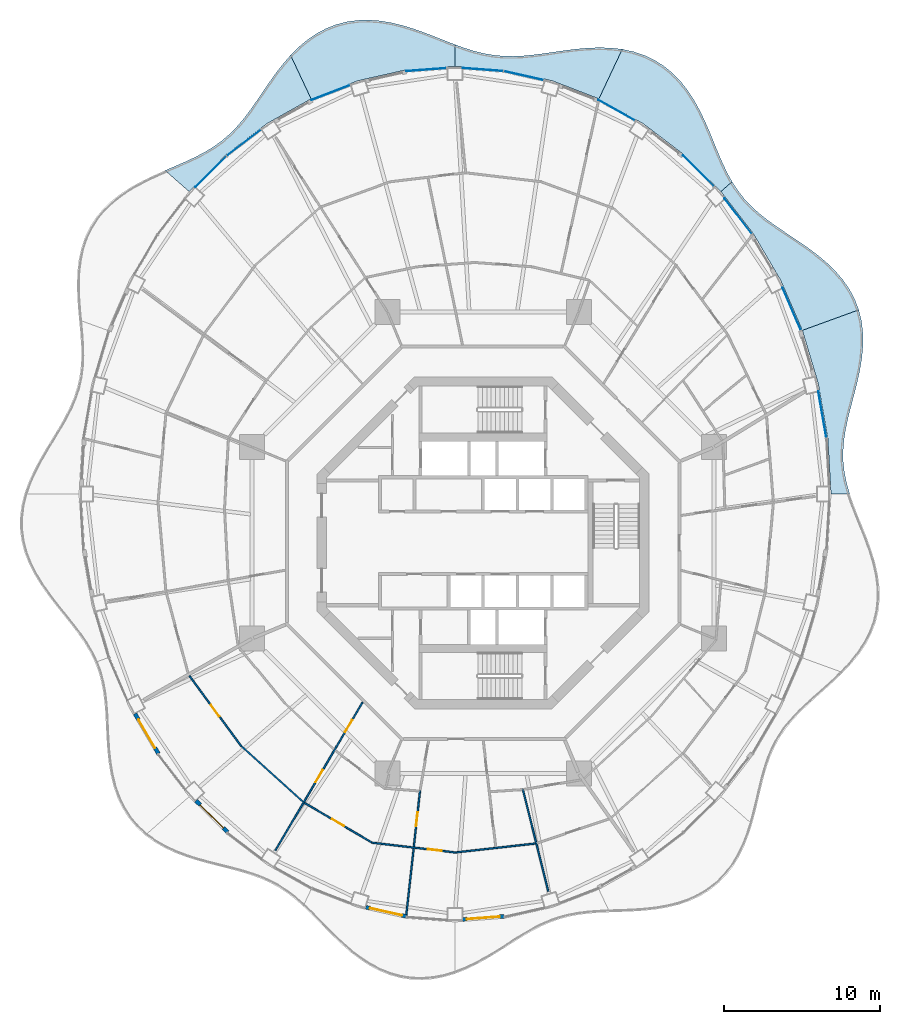
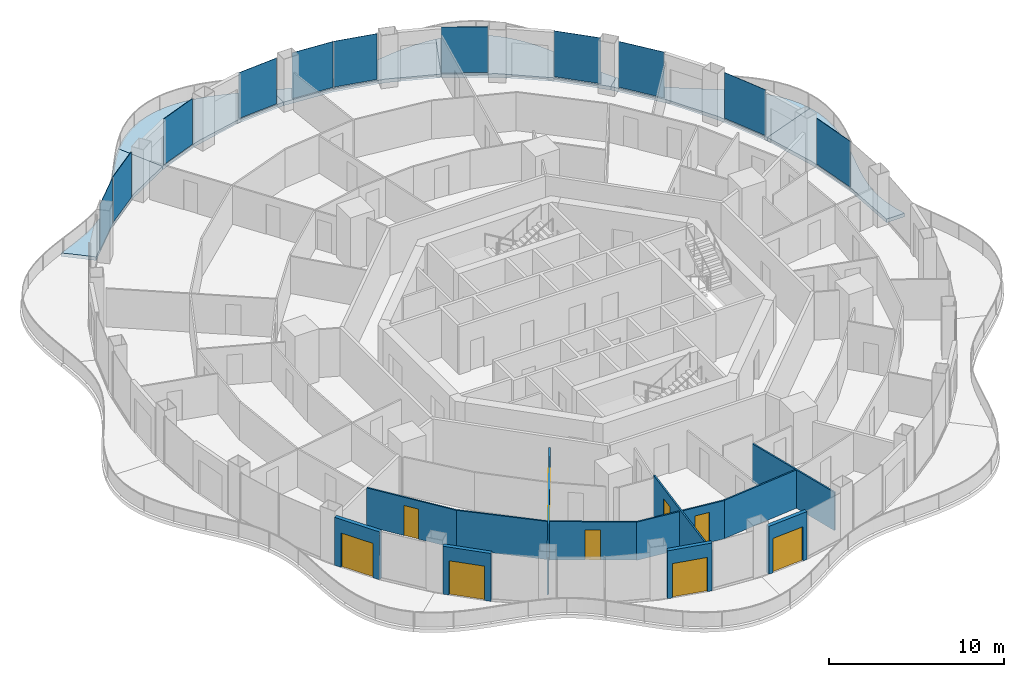
# One storey, part 9 of 18: 12 walls, 11 plates, 10 doors, 6 slabs, 10 openings, 11 elements without a shape of their own.
"""IFC4 building model written with IfcOpenShell, lengths in metres."""

import ifcopenshell
import ifcopenshell.guid

model = None  # the IFC model being written
_history = None  # IfcOwnerHistory: only IFC2X3 demands one
_inside = {}  # id of a spatial element -> (the spatial element, [elements in it])
_under = {}  # id of a project, library or spatial element -> (it, [spatial elements below it])
_declared = {}  # id of a project -> (the project, [libraries it declares])
_typed = {}  # id of a type object -> (the type object, [elements of that type])
_made_of = {}  # id of a material, layer set ... -> (it, [elements and type objects made of it])


def new_model(schema):
    """Start an empty IFC model of exactly this schema.

    Asked for "IFC4X3", IfcOpenShell would pick the latest addendum, in which some entities
    have other attributes; the version numbers below select the first issue.
    IFC2X3 requires an IfcOwnerHistory on every rooted entity: one is made here for all.
    """
    global model, _history
    if schema == "IFC4X3":
        model = ifcopenshell.file(schema_version=(4, 3, 0, 0))
    else:
        model = ifcopenshell.file(schema=schema)
    _inside.clear()
    _under.clear()
    _declared.clear()
    _typed.clear()
    _made_of.clear()
    _history = None
    if model.schema == "IFC2X3":
        org = make("IfcOrganization", Name="unknown")
        user = make(
            "IfcPersonAndOrganization",
            ThePerson=make("IfcPerson", FamilyName="unknown"),
            TheOrganization=org,
        )
        app = make(
            "IfcApplication",
            ApplicationDeveloper=org,
            Version="unknown",
            ApplicationFullName="unknown",
            ApplicationIdentifier="unknown",
        )
        _history = make(
            "IfcOwnerHistory",
            OwningUser=user,
            OwningApplication=app,
            ChangeAction="ADDED",
            CreationDate=0,
        )
    return model


def make(cls, **values):
    """One entity of the class cls with the attributes given. An attribute that is None is left unset."""
    return model.create_entity(
        cls, **{name: value for name, value in values.items() if value is not None}
    )


def rooted(cls, **values):
    """An entity with a GlobalId (a new one), such as an element, a storey or a relation."""
    return make(cls, GlobalId=ifcopenshell.guid.new(), OwnerHistory=_history, **values)


def si_unit(unit_type, name, prefix=None):
    """IfcSIUnit, for example si_unit("LENGTHUNIT", "METRE", prefix="MILLI")."""
    return make("IfcSIUnit", UnitType=unit_type, Prefix=prefix, Name=name)


def assignment(units):
    """IfcUnitAssignment: the units of a project."""
    return None if units is None else make("IfcUnitAssignment", Units=units)


def point(xyz):
    """IfcCartesianPoint."""
    return None if xyz is None else make("IfcCartesianPoint", Coordinates=xyz)


def direction(xyz):
    """IfcDirection."""
    return None if xyz is None else make("IfcDirection", DirectionRatios=xyz)


def frame(location, z_axis=None, x_axis=None):
    """IfcAxis2Placement3D, a coordinate frame: its origin and axes. An axis left out is left unset."""
    return make(
        "IfcAxis2Placement3D",
        Location=point(location),
        Axis=direction(z_axis),
        RefDirection=direction(x_axis),
    )


def frame_2d(location, x_axis=None):
    """IfcAxis2Placement2D, a coordinate frame in the plane: its origin and x axis."""
    return make(
        "IfcAxis2Placement2D", Location=point(location), RefDirection=direction(x_axis)
    )


def origin():
    """The frame at (0, 0, 0) with its axes left unset."""
    return frame((0.0, 0.0, 0.0))


def origin_2d():
    """The frame at (0, 0) in the plane with its x axis left unset."""
    return frame_2d((0.0, 0.0))


def place(relative_to, where):
    """IfcLocalPlacement: puts the frame where relative to a parent placement (None: the world)."""
    return make(
        "IfcLocalPlacement", PlacementRelTo=relative_to, RelativePlacement=where
    )


def context(
    kind, dimensions, precision=None, world=None, true_north=None, identifier=None
):
    """IfcGeometricRepresentationContext, for example the 3D "Model" context."""
    return make(
        "IfcGeometricRepresentationContext",
        ContextIdentifier=identifier,
        ContextType=kind,
        CoordinateSpaceDimension=dimensions,
        Precision=precision,
        WorldCoordinateSystem=world,
        TrueNorth=true_north,
    )


def subcontext(parent, identifier, kind, view, scale=None):
    """IfcGeometricRepresentationSubContext, for example "Body" below "Model"."""
    return make(
        "IfcGeometricRepresentationSubContext",
        ContextIdentifier=identifier,
        ContextType=kind,
        ParentContext=parent,
        TargetScale=scale,
        TargetView=view,
    )


def project(units=None, contexts=None):
    """IfcProject with its units and contexts."""
    return rooted(
        "IfcProject",
        Name="project",
        RepresentationContexts=contexts,
        UnitsInContext=assignment(units),
    )


def spatial(cls, under=None, at=None, **own):
    """A site, building, storey or space (cls), placed at a placement, below another one or the project."""
    s = rooted(cls, ObjectPlacement=at, **own)
    if under is not None:
        _under.setdefault(under.id(), (under, []))[1].append(s)
    return s


def polyline(points):
    """IfcPolyline through the points."""
    return make("IfcPolyline", Points=[point(p) for p in points])


def profile(cls, at=None, kind="AREA", **sizes):
    """A parametric profile (cls). Its sizes go by their IFC names, for example OverallWidth=200.0."""
    return make(cls, ProfileType=kind, Position=at, **sizes)


def rectangle(**sizes):
    """IfcRectangleProfileDef."""
    return profile("IfcRectangleProfileDef", **sizes)


def outline(outer, holes=None, kind="AREA"):
    """IfcArbitraryClosedProfileDef: a profile drawn as a closed curve; with holes, ...WithVoids."""
    if holes is None:
        return make("IfcArbitraryClosedProfileDef", ProfileType=kind, OuterCurve=outer)
    return make(
        "IfcArbitraryProfileDefWithVoids",
        ProfileType=kind,
        OuterCurve=outer,
        InnerCurves=holes,
    )


def extrude(swept, where, along, depth):
    """IfcExtrudedAreaSolid: the profile swept, set in the frame where, extruded along a direction by depth."""
    return make(
        "IfcExtrudedAreaSolid",
        SweptArea=swept,
        Position=where,
        ExtrudedDirection=direction(along),
        Depth=depth,
    )


def shape(context_of_items, identifier, shape_type, items):
    """IfcShapeRepresentation: the items that make up one representation, for example the "Body"."""
    return make(
        "IfcShapeRepresentation",
        ContextOfItems=context_of_items,
        RepresentationIdentifier=identifier,
        RepresentationType=shape_type,
        Items=items,
    )


def material(Name=None, Category=None):
    """IfcMaterial."""
    return make("IfcMaterial", Name=Name, Category=Category)


def layer(
    of_material, thickness, ventilated=None, Name=None, Category=None, Priority=None
):
    """IfcMaterialLayer: one layer of a wall or slab, of a material (None: an air gap)."""
    return make(
        "IfcMaterialLayer",
        Material=of_material,
        LayerThickness=thickness,
        IsVentilated=ventilated,
        Name=Name,
        Category=Category,
        Priority=Priority,
    )


def layer_set(layers, Name=None):
    """IfcMaterialLayerSet."""
    return make("IfcMaterialLayerSet", MaterialLayers=layers, LayerSetName=Name)


def made_of(thing, what):
    """Note that an element or type object is made of a material, layer set ...; save() writes the relation."""
    if what is not None:
        _made_of.setdefault(what.id(), (what, []))[1].append(thing)
    return thing


def type_object(cls, material=None, **own):
    """A type object (cls), such as IfcWallType, which elements share."""
    return made_of(rooted(cls, **own), material)


def element(
    cls,
    number,
    at=None,
    inside=None,
    cuts=None,
    type_object=None,
    material=None,
    context=None,
    identifier="Body",
    shape_type=None,
    held_by="IfcProductDefinitionShape",
    body=None,
    shapes=None,
    **own,
):
    """One element of the class cls, such as IfcWall. Its Tag is "e" and its number.

    at: its placement. inside: the storey or other place that contains it. cuts: it is an
    opening in that element (IfcRelVoidsElement). A single representation is given by context,
    identifier, shape_type and body (its items); several are given by shapes. held_by: the class
    of the entity that holds the representations. save() writes the other relations.
    """
    e = rooted(cls, Tag="e%d" % number, ObjectPlacement=at, **own)
    if body is not None:
        shapes = [shape(context, identifier, shape_type, body)]
    if shapes is not None:
        e.Representation = make(held_by, Representations=shapes)
    if inside is not None:
        _inside.setdefault(inside.id(), (inside, []))[1].append(e)
    if cuts is not None:
        rooted(
            "IfcRelVoidsElement", RelatingBuildingElement=cuts, RelatedOpeningElement=e
        )
    if type_object is not None:
        _typed.setdefault(type_object.id(), (type_object, []))[1].append(e)
    return made_of(e, material)


def fill(opening, filler):
    """IfcRelFillsElement: the door or window that sits in an opening."""
    return rooted(
        "IfcRelFillsElement",
        RelatingOpeningElement=opening,
        RelatedBuildingElement=filler,
    )


def aggregate(whole, parts):
    """IfcRelAggregates: a whole, such as a stair, and the parts it consists of."""
    return rooted("IfcRelAggregates", RelatingObject=whole, RelatedObjects=parts)


def save(model, path):
    """Write the relations noted so far, then the file.

    IfcRelAggregates (storeys below a building ...), IfcRelContainedInSpatialStructure (elements
    in a storey), IfcRelDefinesByType, IfcRelAssociatesMaterial and IfcRelDeclares: one each for
    every whole, place, type object, material and project.
    """
    for whole, parts in _under.values():
        aggregate(whole, parts)
    for where, things in _inside.values():
        rooted(
            "IfcRelContainedInSpatialStructure",
            RelatedElements=things,
            RelatingStructure=where,
        )
    for kind, things in _typed.values():
        rooted("IfcRelDefinesByType", RelatedObjects=things, RelatingType=kind)
    for what, things in _made_of.values():
        rooted("IfcRelAssociatesMaterial", RelatedObjects=things, RelatingMaterial=what)
    for by, libraries in _declared.values():
        rooted("IfcRelDeclares", RelatingContext=by, RelatedDefinitions=libraries)
    model.write(path)


model = new_model("IFC4")

# Units and contexts
model_context = context("Model", 3, precision=1e-05, world=origin(), true_north=direction((0.0, 1.0)))
body_context = subcontext(model_context, "Body", "Model", "MODEL_VIEW")
ifc_project = project(units=[si_unit("LENGTHUNIT", "METRE"), si_unit("AREAUNIT", "SQUARE_METRE"), si_unit("VOLUMEUNIT", "CUBIC_METRE"), si_unit("PLANEANGLEUNIT", "RADIAN"), si_unit("MASSUNIT", "GRAM", prefix="KILO")], contexts=[model_context])

# Site, building, storey
site_placement = place(None, origin())
site = spatial("IfcSite", under=ifc_project, at=site_placement, CompositionType="ELEMENT")
building_placement = place(site_placement, origin())
building = spatial("IfcBuilding", under=site, at=building_placement, Name="Nagisa Residences", CompositionType="ELEMENT")
storey_placement = place(building_placement, frame((0.0, 0.0, 249.199951171875)))
storey = spatial("IfcBuildingStorey", under=building, at=storey_placement, Name="L63", CompositionType="ELEMENT", Elevation=249.199951171875)

# Slabs
ifc_material_1 = material(Name="Concrete C40/50", Category="concrete")
ifc_layer_1 = layer(ifc_material_1, 0.25)
ifc_layer_set_1 = layer_set([ifc_layer_1], Name="BALCONY SLAB 250")
slab_type = type_object("IfcSlabType", Name="BALCONY SLAB 250", PredefinedType="FLOOR", material=ifc_layer_set_1)
slab_1_placement = place(storey_placement, frame((0.0, 0.0, -0.25)))
element("IfcSlab", 1, at=slab_1_placement, inside=storey, type_object=slab_type, Name="slab:L63:bal00", PredefinedType="FLOOR", context=body_context, shape_type="SweptSolid", body=[
    extrude(outline(polyline([(23.470947265625, 3.11767578125), (23.271484375, 3.8076171875), (23.13037109375, 4.4921875), (23.0537109375, 5.17626953125), (23.043701171875, 5.864501953125), (23.097412109375, 6.56201171875), (23.207763671875, 7.272216796875), (23.36376953125, 7.998291015625), (23.550537109375, 8.741455078125), (23.7509765625, 9.5009765625), (23.94677734375, 10.275146484375), (24.1181640625, 11.059814453125), (24.247314453125, 11.849365234375), (24.317138671875, 12.63720703125), (24.313720703125, 13.41552734375), (24.226318359375, 14.177001953125), (24.048095703125, 14.91357421875), (20.437744140625, 13.599365234375), (21.449951171875, 10.206787109375), (22.06396484375, 6.69287109375), (22.27001953125, 3.11767578125), (23.470947265625, 3.11767578125)])), origin(), (0.0, 0.0, 1.0), 0.25),
])
slab_2_placement = place(storey_placement, frame((0.0, 0.0, -0.25)))
element("IfcSlab", 2, at=slab_2_placement, inside=storey, type_object=slab_type, Name="slab:L63:bal01", PredefinedType="FLOOR", context=body_context, shape_type="SweptSolid", body=[
    extrude(outline(polyline([(24.048095703125, 14.91357421875), (23.786865234375, 15.597412109375), (23.4404296875, 16.24658203125), (23.014404296875, 16.85791015625), (22.517822265625, 17.4296875), (21.962890625, 17.962890625), (21.363525390625, 18.4599609375), (20.735107421875, 18.926025390625), (20.093994140625, 19.367919921875), (19.45556640625, 19.7939453125), (18.834228515625, 20.213623046875), (18.241943359375, 20.63671875), (17.688232421875, 21.073486328125), (17.179931640625, 21.532958984375), (16.719482421875, 22.02294921875), (16.306884765625, 22.549560546875), (15.937744140625, 23.115966796875), (15.219970703125, 22.4853515625), (17.2958984375, 19.791748046875), (19.045166015625, 16.812744140625), (20.437744140625, 13.599365234375), (24.048095703125, 14.91357421875)])), origin(), (0.0, 0.0, 1.0), 0.25),
])
slab_3_placement = place(storey_placement, frame((0.0, 0.0, -0.25)))
element("IfcSlab", 3, at=slab_3_placement, inside=storey, type_object=slab_type, Name="slab:L63:bal02", PredefinedType="FLOOR", context=body_context, shape_type="SweptSolid", body=[
    extrude(outline(polyline([(15.937744140625, 23.115966796875), (15.6201171875, 23.69384765625), (15.32763671875, 24.306884765625), (15.05029296875, 24.95068359375), (14.777099609375, 25.618408203125), (14.4970703125, 26.30126953125), (14.198974609375, 26.988525390625), (13.87255859375, 27.66796875), (13.50927734375, 28.327392578125), (13.1015625, 28.953369140625), (12.645263671875, 29.5341796875), (12.137451171875, 30.058349609375), (11.57861328125, 30.516845703125), (10.970703125, 30.90234375), (10.318359375, 31.21142578125), (9.628173828125, 31.442138671875), (8.907470703125, 31.59716796875), (7.4111328125, 28.4228515625), (10.235107421875, 26.838134765625), (12.852783203125, 24.84765625), (15.219970703125, 22.4853515625), (15.937744140625, 23.115966796875)])), origin(), (0.0, 0.0, 1.0), 0.25),
])
slab_4_placement = place(storey_placement, frame((0.0, 0.0, -0.25)))
element("IfcSlab", 4, at=slab_4_placement, inside=storey, type_object=slab_type, Name="slab:L63:bal03", PredefinedType="FLOOR", context=body_context, shape_type="SweptSolid", body=[
    extrude(outline(polyline([(8.907470703125, 31.59716796875), (8.192138671875, 31.6796875), (7.464599609375, 31.703369140625), (6.732421875, 31.67822265625), (6.00244140625, 31.614990234375), (5.28125, 31.5263671875), (4.5732421875, 31.42529296875), (3.8818359375, 31.3251953125), (3.208251953125, 31.238525390625), (2.552734375, 31.17626953125), (1.913330078125, 31.148193359375), (1.287353515625, 31.161376953125), (0.670654296875, 31.219970703125), (0.05859375, 31.325439453125), (-0.553955078125, 31.476318359375), (-1.172119140625, 31.668212890625), (-1.800048828125, 31.8935546875), (-1.800048828125, 30.5078125), (1.341796875, 30.2734375), (4.4296875, 29.574462890625), (7.4111328125, 28.4228515625), (8.907470703125, 31.59716796875)])), origin(), (0.0, 0.0, 1.0), 0.25),
])
slab_5_placement = place(storey_placement, frame((0.0, 0.0, -0.25)))
element("IfcSlab", 5, at=slab_5_placement, inside=storey, type_object=slab_type, Name="slab:L63:bal04", PredefinedType="FLOOR", context=body_context, shape_type="SweptSolid", body=[
    extrude(outline(polyline([(-1.800048828125, 31.8935546875), (-2.441162109375, 32.142578125), (-3.09814453125, 32.4033203125), (-3.771728515625, 32.6630859375), (-4.461181640625, 32.90771484375), (-5.16455078125, 33.123291015625), (-5.87841796875, 33.296630859375), (-6.597412109375, 33.41552734375), (-7.316162109375, 33.4697265625), (-8.02783203125, 33.451416015625), (-8.725830078125, 33.355224609375), (-9.403564453125, 33.1787109375), (-10.055419921875, 32.9228515625), (-10.676513671875, 32.591064453125), (-11.262939453125, 32.189697265625), (-11.81298828125, 31.72705078125), (-12.326904296875, 31.214111328125), (-11.01123046875, 28.4228515625), (-8.02978515625, 29.574462890625), (-4.941650390625, 30.2734375), (-1.800048828125, 30.5078125), (-1.800048828125, 31.8935546875)])), origin(), (0.0, 0.0, 1.0), 0.25),
])
slab_6_placement = place(storey_placement, frame((0.0, 0.0, -0.25)))
element("IfcSlab", 6, at=slab_6_placement, inside=storey, type_object=slab_type, Name="slab:L63:bal05", PredefinedType="FLOOR", context=body_context, shape_type="SweptSolid", body=[
    extrude(outline(polyline([(-12.326904296875, 31.214111328125), (-12.823486328125, 30.641357421875), (-13.287109375, 30.04150390625), (-13.7236328125, 29.4287109375), (-14.140380859375, 28.817138671875), (-14.546630859375, 28.219482421875), (-14.951416015625, 27.646484375), (-15.364013671875, 27.106689453125), (-15.7939453125, 26.606201171875), (-16.248291015625, 26.14794921875), (-16.734130859375, 25.732421875), (-17.2548828125, 25.35693359375), (-17.812744140625, 25.01611328125), (-18.40673828125, 24.703369140625), (-19.033447265625, 24.4091796875), (-19.686767578125, 24.124267578125), (-20.358642578125, 23.83740234375), (-18.820068359375, 22.4853515625), (-16.452880859375, 24.84765625), (-13.8349609375, 26.838134765625), (-11.01123046875, 28.4228515625), (-12.326904296875, 31.214111328125)])), origin(), (0.0, 0.0, 1.0), 0.25),
])

# Curtain wall, plate
ifc_material_2 = material(Name="Concrete-coloured aluminium curtain wall system", Category="concrete")
ifc_layer_2 = layer(ifc_material_2, 0.159912109375)
ifc_layer_set_2 = layer_set([ifc_layer_2], Name="CW1 CURTAIN WALL")
curtain_wall_type = type_object("IfcCurtainWallType", Name="CW1 CURTAIN WALL", PredefinedType="NOTDEFINED", material=ifc_layer_set_2)
curtain_wall_1_placement = place(storey_placement, origin())
curtain_wall_1 = element("IfcCurtainWall", 7, at=curtain_wall_1_placement, inside=storey, type_object=curtain_wall_type, Name="cw:CW1:L63:01", PredefinedType="NOTDEFINED")
ifc_material_3 = material(Name="Clear laminated glass", Category="glass")
ifc_layer_3 = layer(ifc_material_3, 0.028076171875)
ifc_layer_set_3 = layer_set([ifc_layer_3], Name="CW1 GLASS PANEL")
plate_type = type_object("IfcPlateType", Name="CW1 GLASS PANEL", PredefinedType="CURTAIN_PANEL", material=ifc_layer_set_3)
plate_1_placement = place(storey_placement, frame((21.716064453125, 8.21923828125, 0.14990234375), z_axis=(0.0, 0.0, 1.0), x_axis=(-0.172190868898, 0.985063604377, 0.0)))
plate_1 = element("IfcPlate", 8, at=plate_1_placement, type_object=plate_type, Name="CW1 panel", PredefinedType="CURTAIN_PANEL", context=body_context, shape_type="SweptSolid", body=[
    extrude(rectangle(XDim=3.00732421875, YDim=0.028076171875, at=origin_2d()), origin(), (0.0, 0.0, 1.0), 3.199951171875),
])
aggregate(curtain_wall_1, [plate_1])

curtain_wall_2_placement = place(storey_placement, origin())
curtain_wall_2 = element("IfcCurtainWall", 9, at=curtain_wall_2_placement, inside=storey, type_object=curtain_wall_type, Name="cw:CW1:L63:03", PredefinedType="NOTDEFINED")
plate_2_placement = place(storey_placement, frame((19.755615234375, 14.972412109375, 0.14990234375), z_axis=(0.0, 0.0, 1.0), x_axis=(-0.397635934147, 0.917543276295, 0.0)))
plate_2 = element("IfcPlate", 10, at=plate_2_placement, type_object=plate_type, Name="CW1 panel", PredefinedType="CURTAIN_PANEL", context=body_context, shape_type="SweptSolid", body=[
    extrude(rectangle(XDim=2.942138671875, YDim=0.028076171875, at=origin_2d()), origin(), (0.0, 0.0, 1.0), 3.199951171875),
])
aggregate(curtain_wall_2, [plate_2])

curtain_wall_3_placement = place(storey_placement, origin())
curtain_wall_3 = element("IfcCurtainWall", 11, at=curtain_wall_3_placement, inside=storey, type_object=curtain_wall_type, Name="cw:CW1:L63:05", PredefinedType="NOTDEFINED")
plate_3_placement = place(storey_placement, frame((16.328857421875, 20.91552734375, 0.14990234375), z_axis=(0.0, 0.0, 1.0), x_axis=(-0.610429828235, 0.792070340816, 0.0)))
plate_3 = element("IfcPlate", 12, at=plate_3_placement, type_object=plate_type, Name="CW1 panel", PredefinedType="CURTAIN_PANEL", context=body_context, shape_type="SweptSolid", body=[
    extrude(rectangle(XDim=2.8408203125, YDim=0.028076171875, at=origin_2d()), origin(), (0.0, 0.0, 1.0), 3.199951171875),
])
aggregate(curtain_wall_3, [plate_3])

curtain_wall_4_placement = place(storey_placement, origin())
curtain_wall_4 = element("IfcCurtainWall", 13, at=curtain_wall_4_placement, inside=storey, type_object=curtain_wall_type, Name="cw:CW1:L63:06", PredefinedType="NOTDEFINED")
plate_4_placement = place(storey_placement, frame((13.78173828125, 23.8076171875, 0.14990234375), z_axis=(0.0, 0.0, 1.0), x_axis=(-0.707835924016, 0.706376885714, 0.0)))
plate_4 = element("IfcPlate", 14, at=plate_4_placement, type_object=plate_type, Name="CW1 panel", PredefinedType="CURTAIN_PANEL", context=body_context, shape_type="SweptSolid", body=[
    extrude(rectangle(XDim=2.7841796875, YDim=0.028076171875, at=origin_2d()), origin(), (0.0, 0.0, 1.0), 3.199951171875),
])
aggregate(curtain_wall_4, [plate_4])

curtain_wall_5_placement = place(storey_placement, origin())
curtain_wall_5 = element("IfcCurtainWall", 15, at=curtain_wall_5_placement, inside=storey, type_object=curtain_wall_type, Name="cw:CW1:L63:08", PredefinedType="NOTDEFINED")
plate_5_placement = place(storey_placement, frame((8.539794921875, 27.69775390625, 0.14990234375), z_axis=(0.0, 0.0, 1.0), x_axis=(-0.872072377523, 0.489376918501, 0.0)))
plate_5 = element("IfcPlate", 16, at=plate_5_placement, type_object=plate_type, Name="CW1 panel", PredefinedType="CURTAIN_PANEL", context=body_context, shape_type="SweptSolid", body=[
    extrude(rectangle(XDim=2.677978515625, YDim=0.028076171875, at=origin_2d()), origin(), (0.0, 0.0, 1.0), 3.199951171875),
])
aggregate(curtain_wall_5, [plate_5])

curtain_wall_6_placement = place(storey_placement, origin())
curtain_wall_6 = element("IfcCurtainWall", 17, at=curtain_wall_6_placement, inside=storey, type_object=curtain_wall_type, Name="cw:CW1:L63:10", PredefinedType="NOTDEFINED")
plate_6_placement = place(storey_placement, frame((2.594970703125, 29.90771484375, 0.14990234375), z_axis=(0.0, 0.0, 1.0), x_axis=(-0.975327274089, 0.2207639201, 0.0)))
plate_6 = element("IfcPlate", 18, at=plate_6_placement, type_object=plate_type, Name="CW1 panel", PredefinedType="CURTAIN_PANEL", context=body_context, shape_type="SweptSolid", body=[
    extrude(rectangle(XDim=2.606201171875, YDim=0.028076171875, at=origin_2d()), origin(), (0.0, 0.0, 1.0), 3.199951171875),
])
aggregate(curtain_wall_6, [plate_6])

curtain_wall_7_placement = place(storey_placement, origin())
curtain_wall_7 = element("IfcCurtainWall", 19, at=curtain_wall_7_placement, inside=storey, type_object=curtain_wall_type, Name="cw:CW1:L63:11", PredefinedType="NOTDEFINED")
plate_7_placement = place(storey_placement, frame((-0.015625, 30.29443359375, 0.14990234375), z_axis=(0.0, 0.0, 1.0), x_axis=(-0.997230168512, 0.074377355493, 0.0)))
plate_7 = element("IfcPlate", 20, at=plate_7_placement, type_object=plate_type, Name="CW1 panel", PredefinedType="CURTAIN_PANEL", context=body_context, shape_type="SweptSolid", body=[
    extrude(rectangle(XDim=2.590576171875, YDim=0.028076171875, at=origin_2d()), origin(), (0.0, 0.0, 1.0), 3.199951171875),
])
aggregate(curtain_wall_7, [plate_7])

curtain_wall_8_placement = place(storey_placement, origin())
curtain_wall_8 = element("IfcCurtainWall", 21, at=curtain_wall_8_placement, inside=storey, type_object=curtain_wall_type, Name="cw:CW1:L63:12", PredefinedType="NOTDEFINED")
plate_8_placement = place(storey_placement, frame((-3.64404296875, 30.2900390625, 0.14990234375), z_axis=(0.0, 0.0, 1.0), x_axis=(-0.997230168512, -0.074377355493, 0.0)))
plate_8 = element("IfcPlate", 22, at=plate_8_placement, type_object=plate_type, Name="CW1 panel", PredefinedType="CURTAIN_PANEL", context=body_context, shape_type="SweptSolid", body=[
    extrude(rectangle(XDim=2.590576171875, YDim=0.028076171875, at=origin_2d()), origin(), (0.0, 0.0, 1.0), 3.199951171875),
])
aggregate(curtain_wall_8, [plate_8])

curtain_wall_9_placement = place(storey_placement, origin())
curtain_wall_9 = element("IfcCurtainWall", 23, at=curtain_wall_9_placement, inside=storey, type_object=curtain_wall_type, Name="cw:CW1:L63:14", PredefinedType="NOTDEFINED")
plate_9_placement = place(storey_placement, frame((-9.7529296875, 28.822998046875, 0.14990234375), z_axis=(0.0, 0.0, 1.0), x_axis=(-0.932825759707, -0.360327770268, 0.0)))
plate_9 = element("IfcPlate", 24, at=plate_9_placement, type_object=plate_type, Name="CW1 panel", PredefinedType="CURTAIN_PANEL", context=body_context, shape_type="SweptSolid", body=[
    extrude(rectangle(XDim=2.63623046875, YDim=0.028076171875, at=origin_2d()), origin(), (0.0, 0.0, 1.0), 3.199951171875),
])
aggregate(curtain_wall_9, [plate_9])

curtain_wall_10_placement = place(storey_placement, origin())
curtain_wall_10 = element("IfcCurtainWall", 25, at=curtain_wall_10_placement, inside=storey, type_object=curtain_wall_type, Name="cw:CW1:L63:16", PredefinedType="NOTDEFINED")
plate_10_placement = place(storey_placement, frame((-15.318359375, 25.609619140625, 0.14990234375), z_axis=(0.0, 0.0, 1.0), x_axis=(-0.79603132756, -0.605255421737, 0.0)))
plate_10 = element("IfcPlate", 26, at=plate_10_placement, type_object=plate_type, Name="CW1 panel", PredefinedType="CURTAIN_PANEL", context=body_context, shape_type="SweptSolid", body=[
    extrude(rectangle(XDim=2.728759765625, YDim=0.028076171875, at=origin_2d()), origin(), (0.0, 0.0, 1.0), 3.199951171875),
])
aggregate(curtain_wall_10, [plate_10])

curtain_wall_11_placement = place(storey_placement, origin())
curtain_wall_11 = element("IfcCurtainWall", 27, at=curtain_wall_11_placement, inside=storey, type_object=curtain_wall_type, Name="cw:CW1:L63:17", PredefinedType="NOTDEFINED")
plate_11_placement = place(storey_placement, frame((-17.42431640625, 23.765380859375, 0.14990234375), z_axis=(0.0, 0.0, 1.0), x_axis=(-0.707835924016, -0.706376885714, 0.0)))
plate_11 = element("IfcPlate", 28, at=plate_11_placement, type_object=plate_type, Name="CW1 panel", PredefinedType="CURTAIN_PANEL", context=body_context, shape_type="SweptSolid", body=[
    extrude(rectangle(XDim=2.7841796875, YDim=0.028076171875, at=origin_2d()), origin(), (0.0, 0.0, 1.0), 3.199951171875),
])
aggregate(curtain_wall_11, [plate_11])

# Wall, opening, door
ifc_material_4 = material(Name="Gypsum board on steel studs", Category="steel")
ifc_layer_4 = layer(ifc_material_4, 0.10009765625)
ifc_layer_set_4 = layer_set([ifc_layer_4], Name="Apartment partition 100")
wall_type_1 = type_object("IfcWallType", Name="Apartment partition 100", PredefinedType="PARTITIONING", material=ifc_layer_set_4)
wall_1_placement = place(storey_placement, frame((-18.804443359375, -8.515625, 0.0), z_axis=(0.0, 0.0, 1.0), x_axis=(0.593249583583, -0.805018590828, 0.0)))
wall_1 = element("IfcWall", 29, at=wall_1_placement, inside=storey, type_object=wall_type_1, Name="wall:L63:u62", PredefinedType="PARTITIONING", context=body_context, shape_type="SweptSolid", body=[
    extrude(rectangle(XDim=5.601806640625, YDim=0.10009765625, at=frame_2d((2.80078125, 0.0))), origin(), (0.0, 0.0, 1.0), 2.672119140625),
])
opening_1_placement = place(wall_1_placement, frame((2.325927734375, 0.0, 0.0)))
opening_1 = element("IfcOpeningElement", 30, at=opening_1_placement, cuts=wall_1, Name="Opening L63-U50", PredefinedType="OPENING", context=body_context, shape_type="SweptSolid", body=[
    extrude(rectangle(XDim=0.89990234375, YDim=2.10009765625, at=frame_2d((0.449951171875, 1.050048828125))), frame((0.0, 0.06005859375, 0.0), z_axis=(0.0, -1.0, 0.0), x_axis=(1.0, 0.0, 0.0)), (0.0, 0.0, 1.0), 0.1201171875),
])
ifc_material_5 = material(Name="Timber door set", Category="wood")
door_type_1 = type_object("IfcDoorType", Name="Apartment door 900x2100", OperationType="NOTDEFINED", PredefinedType="DOOR", material=ifc_material_5)
door_1_placement = place(opening_1_placement, frame((0.89990234375, 0.0, 0.0), x_axis=(-1.0, 0.0, 0.0)))
door_1 = element("IfcDoor", 31, at=door_1_placement, inside=storey, type_object=door_type_1, Name="Door to living room, Apartment 63C", OperationType="SINGLE_SWING_LEFT", OverallHeight=2.10009765625, OverallWidth=0.89990234375, PredefinedType="DOOR", context=body_context, shape_type="SweptSolid", body=[
    extrude(rectangle(XDim=0.89990234375, YDim=2.10009765625, at=frame_2d((0.449951171875, 1.050048828125))), frame((0.0, 0.02490234375, 0.0), z_axis=(0.0, -1.0, 0.0), x_axis=(1.0, 0.0, 0.0)), (0.0, 0.0, 1.0), 0.050048828125),
])
fill(opening_1, door_1)

# Wall
wall_2_placement = place(storey_placement, frame((-15.4736328125, -13.0185546875, 0.0), z_axis=(0.0, 0.0, 1.0), x_axis=(0.742348572616, -0.670013878017, 0.0)))
element("IfcWall", 32, at=wall_2_placement, inside=storey, type_object=wall_type_1, Name="wall:L63:u64", PredefinedType="PARTITIONING", context=body_context, shape_type="SweptSolid", body=[
    extrude(rectangle(XDim=5.3193359375, YDim=0.10009765625, at=frame_2d((2.65966796875, 0.0))), origin(), (0.0, 0.0, 1.0), 2.672119140625),
])

# Wall, openings, doors
wall_3_placement = place(storey_placement, frame((-7.708740234375, -10.197509765625, 0.0), z_axis=(0.0, 0.0, 1.0), x_axis=(-0.507355901053, -0.8617366127, 0.0)))
wall_3 = element("IfcWall", 33, at=wall_3_placement, inside=storey, type_object=wall_type_1, Name="wall:L63:u65", PredefinedType="PARTITIONING", context=body_context, shape_type="SweptSolid", body=[
    extrude(rectangle(XDim=11.02490234375, YDim=0.10009765625, at=frame_2d((5.512451171875, 0.0))), origin(), (0.0, 0.0, 1.0), 2.59716796875),
])
opening_2_placement = place(wall_3_placement, frame((5.05029296875, 0.0, 0.0)))
opening_2 = element("IfcOpeningElement", 34, at=opening_2_placement, cuts=wall_3, Name="Opening L63-U49", PredefinedType="OPENING", context=body_context, shape_type="SweptSolid", body=[
    extrude(rectangle(XDim=0.89990234375, YDim=2.10009765625, at=frame_2d((0.449951171875, 1.050048828125))), frame((0.0, 0.06005859375, 0.0), z_axis=(0.0, -1.0, 0.0), x_axis=(1.0, 0.0, 0.0)), (0.0, 0.0, 1.0), 0.1201171875),
])
opening_3_placement = place(wall_3_placement, frame((1.326171875, 0.0, 0.0)))
opening_3 = element("IfcOpeningElement", 35, at=opening_3_placement, cuts=wall_3, Name="Opening L63-U51", PredefinedType="OPENING", context=body_context, shape_type="SweptSolid", body=[
    extrude(rectangle(XDim=0.89990234375, YDim=2.10009765625, at=frame_2d((0.449951171875, 1.050048828125))), frame((0.0, 0.06005859375, 0.0), z_axis=(0.0, -1.0, 0.0), x_axis=(1.0, 0.0, 0.0)), (0.0, 0.0, 1.0), 0.1201171875),
])
door_2_placement = place(opening_2_placement, frame((0.89990234375, 0.0, 0.0), x_axis=(-1.0, 0.0, 0.0)))
door_2 = element("IfcDoor", 36, at=door_2_placement, inside=storey, type_object=door_type_1, Name="Door to dining room, Apartment 63C", OperationType="SINGLE_SWING_RIGHT", OverallHeight=2.10009765625, OverallWidth=0.89990234375, PredefinedType="DOOR", context=body_context, shape_type="SweptSolid", body=[
    extrude(rectangle(XDim=0.89990234375, YDim=2.10009765625, at=frame_2d((0.449951171875, 1.050048828125))), frame((0.0, 0.02490234375, 0.0), z_axis=(0.0, -1.0, 0.0), x_axis=(1.0, 0.0, 0.0)), (0.0, 0.0, 1.0), 0.050048828125),
])
fill(opening_2, door_2)
door_3_placement = place(opening_3_placement, frame((0.89990234375, 0.0, 0.0), x_axis=(-1.0, 0.0, 0.0)))
door_3 = element("IfcDoor", 37, at=door_3_placement, inside=storey, type_object=door_type_1, Name="Door to store, Apartment 63C", OperationType="SINGLE_SWING_RIGHT", OverallHeight=2.10009765625, OverallWidth=0.89990234375, PredefinedType="DOOR", context=body_context, shape_type="SweptSolid", body=[
    extrude(rectangle(XDim=0.89990234375, YDim=2.10009765625, at=frame_2d((0.449951171875, 1.050048828125))), frame((0.0, 0.02490234375, 0.0), z_axis=(0.0, -1.0, 0.0), x_axis=(1.0, 0.0, 0.0)), (0.0, 0.0, 1.0), 0.050048828125),
])
fill(opening_3, door_3)

# Wall, opening, door
wall_4_placement = place(storey_placement, frame((-11.444580078125, -16.641357421875, 0.0), z_axis=(0.0, 0.0, 1.0), x_axis=(0.861562560957, -0.507651409489, 0.0)))
wall_4 = element("IfcWall", 38, at=wall_4_placement, inside=storey, type_object=wall_type_1, Name="wall:L63:u67", PredefinedType="PARTITIONING", context=body_context, shape_type="SweptSolid", body=[
    extrude(rectangle(XDim=4.98486328125, YDim=0.10009765625, at=frame_2d((2.492431640625, 0.0))), origin(), (0.0, 0.0, 1.0), 2.672119140625),
])
opening_4_placement = place(wall_4_placement, frame((2.04248046875, 0.0, 0.0)))
opening_4 = element("IfcOpeningElement", 39, at=opening_4_placement, cuts=wall_4, Name="Opening L63-U45", PredefinedType="OPENING", context=body_context, shape_type="SweptSolid", body=[
    extrude(rectangle(XDim=0.89990234375, YDim=2.10009765625, at=frame_2d((0.449951171875, 1.050048828125))), frame((0.0, 0.06005859375, 0.0), z_axis=(0.0, -1.0, 0.0), x_axis=(1.0, 0.0, 0.0)), (0.0, 0.0, 1.0), 0.1201171875),
])
door_4_placement = place(opening_4_placement, frame((0.89990234375, 0.0, 0.0), x_axis=(-1.0, 0.0, 0.0)))
door_4 = element("IfcDoor", 40, at=door_4_placement, inside=storey, type_object=door_type_1, Name="Door to bedroom, Apartment 63C", OperationType="SINGLE_SWING_RIGHT", OverallHeight=2.10009765625, OverallWidth=0.89990234375, PredefinedType="DOOR", context=body_context, shape_type="SweptSolid", body=[
    extrude(rectangle(XDim=0.89990234375, YDim=2.10009765625, at=frame_2d((0.449951171875, 1.050048828125))), frame((0.0, 0.02490234375, 0.0), z_axis=(0.0, -1.0, 0.0), x_axis=(1.0, 0.0, 0.0)), (0.0, 0.0, 1.0), 0.050048828125),
])
fill(opening_4, door_4)

wall_5_placement = place(storey_placement, frame((-7.156494140625, -19.19140625, 0.0), z_axis=(0.0, 0.0, 1.0), x_axis=(0.9931716165, -0.116662505458, 0.0)))
wall_5 = element("IfcWall", 41, at=wall_5_placement, inside=storey, type_object=wall_type_1, Name="wall:L63:u70", PredefinedType="PARTITIONING", context=body_context, shape_type="SweptSolid", body=[
    extrude(rectangle(XDim=5.46826171875, YDim=0.10009765625, at=frame_2d((2.734130859375, 0.0))), origin(), (0.0, 0.0, 1.0), 2.672119140625),
])
opening_5_placement = place(wall_5_placement, frame((3.626220703125, 0.0, 0.0)))
opening_5 = element("IfcOpeningElement", 42, at=opening_5_placement, cuts=wall_5, Name="Opening L63-U46", PredefinedType="OPENING", context=body_context, shape_type="SweptSolid", body=[
    extrude(rectangle(XDim=0.89990234375, YDim=2.10009765625, at=frame_2d((0.449951171875, 1.050048828125))), frame((0.0, 0.06005859375, 0.0), z_axis=(0.0, -1.0, 0.0), x_axis=(1.0, 0.0, 0.0)), (0.0, 0.0, 1.0), 0.1201171875),
])
door_5_placement = place(opening_5_placement, frame((0.89990234375, 0.0, 0.0), x_axis=(-1.0, 0.0, 0.0)))
door_5 = element("IfcDoor", 43, at=door_5_placement, inside=storey, type_object=door_type_1, Name="Door to kitchen, Apartment 63C", OperationType="SINGLE_SWING_LEFT", OverallHeight=2.10009765625, OverallWidth=0.89990234375, PredefinedType="DOOR", context=body_context, shape_type="SweptSolid", body=[
    extrude(rectangle(XDim=0.89990234375, YDim=2.10009765625, at=frame_2d((0.449951171875, 1.050048828125))), frame((0.0, 0.02490234375, 0.0), z_axis=(0.0, -1.0, 0.0), x_axis=(1.0, 0.0, 0.0)), (0.0, 0.0, 1.0), 0.050048828125),
])
fill(opening_5, door_5)

wall_6_placement = place(storey_placement, frame((-4.036376953125, -15.843505859375, 0.0), z_axis=(0.0, 0.0, 1.0), x_axis=(-0.109804423508, -0.993953212469, 0.0)))
wall_6 = element("IfcWall", 44, at=wall_6_placement, inside=storey, type_object=wall_type_1, Name="wall:L63:u72", PredefinedType="PARTITIONING", context=body_context, shape_type="SweptSolid", body=[
    extrude(rectangle(XDim=8.204345703125, YDim=0.10009765625, at=frame_2d((4.10205078125, 0.0))), origin(), (0.0, 0.0, 1.0), 2.81494140625),
])
opening_6_placement = place(wall_6_placement, frame((1.41943359375, 0.0, 0.0)))
opening_6 = element("IfcOpeningElement", 45, at=opening_6_placement, cuts=wall_6, Name="Opening L63-U42", PredefinedType="OPENING", context=body_context, shape_type="SweptSolid", body=[
    extrude(rectangle(XDim=0.89990234375, YDim=2.10009765625, at=frame_2d((0.449951171875, 1.050048828125))), frame((0.0, 0.06005859375, 0.0), z_axis=(0.0, -1.0, 0.0), x_axis=(1.0, 0.0, 0.0)), (0.0, 0.0, 1.0), 0.1201171875),
])
door_6_placement = place(opening_6_placement, frame((0.89990234375, 0.0, 0.0), x_axis=(-1.0, 0.0, 0.0)))
door_6 = element("IfcDoor", 46, at=door_6_placement, inside=storey, type_object=door_type_1, Name="Door to kitchen, Apartment 63C", OperationType="SINGLE_SWING_LEFT", OverallHeight=2.10009765625, OverallWidth=0.89990234375, PredefinedType="DOOR", context=body_context, shape_type="SweptSolid", body=[
    extrude(rectangle(XDim=0.89990234375, YDim=2.10009765625, at=frame_2d((0.449951171875, 1.050048828125))), frame((0.0, 0.02490234375, 0.0), z_axis=(0.0, -1.0, 0.0), x_axis=(1.0, 0.0, 0.0)), (0.0, 0.0, 1.0), 0.050048828125),
])
fill(opening_6, door_6)

# Walls
wall_7_placement = place(storey_placement, frame((-1.7255859375, -19.81787109375, 0.0), z_axis=(0.0, 0.0, 1.0), x_axis=(0.99381893047, 0.111013212902, 0.0)))
element("IfcWall", 47, at=wall_7_placement, inside=storey, type_object=wall_type_1, Name="wall:L63:u73", PredefinedType="PARTITIONING", context=body_context, shape_type="SweptSolid", body=[
    extrude(rectangle(XDim=5.113037109375, YDim=0.10009765625, at=frame_2d((2.556640625, 0.0))), origin(), (0.0, 0.0, 1.0), 2.672119140625),
])
wall_8_placement = place(storey_placement, frame((2.53125, -15.74853515625, 0.0), z_axis=(0.0, 0.0, 1.0), x_axis=(0.242645858264, -0.970114935184, 0.0)))
element("IfcWall", 48, at=wall_8_placement, inside=storey, type_object=wall_type_1, Name="wall:L63:u76", PredefinedType="PARTITIONING", context=body_context, shape_type="SweptSolid", body=[
    extrude(rectangle(XDim=6.7744140625, YDim=0.10009765625, at=frame_2d((3.38720703125, 0.0))), origin(), (0.0, 0.0, 1.0), 2.672119140625),
])

# Wall, opening, door
ifc_material_6 = material(Name="Precast concrete C40/50", Category="concrete")
ifc_layer_5 = layer(ifc_material_6, 0.25)
ifc_layer_set_5 = layer_set([ifc_layer_5], Name="BALCONY DOOR WALL 250")
wall_type_2 = type_object("IfcWallType", Name="BALCONY DOOR WALL 250", PredefinedType="SOLIDWALL", material=ifc_layer_set_5)
wall_9_placement = place(storey_placement, frame((-20.788330078125, -13.492919921875, 0.0), z_axis=(0.0, 0.0, 1.0), x_axis=(-0.506294090973, 0.862360883532, 0.0)))
wall_9 = element("IfcWall", 49, at=wall_9_placement, inside=storey, type_object=wall_type_2, Name="wall:L63:bay28", PredefinedType="SOLIDWALL", context=body_context, shape_type="SweptSolid", body=[
    extrude(rectangle(XDim=2.95458984375, YDim=0.25, at=frame_2d((1.477294921875, 0.0))), origin(), (0.0, 0.0, 1.0), 3.35009765625),
])
opening_7_placement = place(wall_9_placement, frame((0.42724609375, 0.0, 0.0)))
opening_7 = element("IfcOpeningElement", 50, at=opening_7_placement, cuts=wall_9, Name="Opening BD-L63-10", PredefinedType="OPENING", context=body_context, shape_type="SweptSolid", body=[
    extrude(rectangle(XDim=2.10009765625, YDim=2.39990234375, at=frame_2d((1.050048828125, 1.199951171875))), frame((0.0, 0.135009765625, 0.0), z_axis=(0.0, -1.0, 0.0), x_axis=(1.0, 0.0, 0.0)), (0.0, 0.0, 1.0), 0.27001953125),
])
ifc_material_7 = material(Name="Aluminium and clear glass", Category="aluminium")
door_type_2 = type_object("IfcDoorType", Name="BALCONY SLIDING DOOR 2100x2400", OperationType="SLIDING_TO_LEFT", PredefinedType="DOOR", material=ifc_material_7)
door_7_placement = place(opening_7_placement, origin())
door_7 = element("IfcDoor", 51, at=door_7_placement, inside=storey, type_object=door_type_2, Name="door:L63:bay28", OperationType="SLIDING_TO_LEFT", OverallHeight=2.39990234375, OverallWidth=2.10009765625, PredefinedType="DOOR", context=body_context, shape_type="SweptSolid", body=[
    extrude(rectangle(XDim=2.10009765625, YDim=2.39990234375, at=frame_2d((1.050048828125, 1.199951171875))), frame((0.0, 0.02490234375, 0.0), z_axis=(0.0, -1.0, 0.0), x_axis=(1.0, 0.0, 0.0)), (0.0, 0.0, 1.0), 0.050048828125),
])
fill(opening_7, door_7)

wall_10_placement = place(storey_placement, frame((-16.364501953125, -18.523681640625, 0.0), z_axis=(0.0, 0.0, 1.0), x_axis=(-0.707878871612, 0.706333846793, 0.0)))
wall_10 = element("IfcWall", 52, at=wall_10_placement, inside=storey, type_object=wall_type_2, Name="wall:L63:bay30", PredefinedType="SOLIDWALL", context=body_context, shape_type="SweptSolid", body=[
    extrude(rectangle(XDim=2.84423828125, YDim=0.25, at=frame_2d((1.422119140625, 0.0))), origin(), (0.0, 0.0, 1.0), 3.35009765625),
])
opening_8_placement = place(wall_10_placement, frame((0.3720703125, 0.0, 0.0)))
opening_8 = element("IfcOpeningElement", 53, at=opening_8_placement, cuts=wall_10, Name="Opening BD-L63-11", PredefinedType="OPENING", context=body_context, shape_type="SweptSolid", body=[
    extrude(rectangle(XDim=2.10009765625, YDim=2.39990234375, at=frame_2d((1.050048828125, 1.199951171875))), frame((0.0, 0.135009765625, 0.0), z_axis=(0.0, -1.0, 0.0), x_axis=(1.0, 0.0, 0.0)), (0.0, 0.0, 1.0), 0.27001953125),
])
door_8_placement = place(opening_8_placement, origin())
door_8 = element("IfcDoor", 54, at=door_8_placement, inside=storey, type_object=door_type_2, Name="door:L63:bay30", OperationType="SLIDING_TO_LEFT", OverallHeight=2.39990234375, OverallWidth=2.10009765625, PredefinedType="DOOR", context=body_context, shape_type="SweptSolid", body=[
    extrude(rectangle(XDim=2.10009765625, YDim=2.39990234375, at=frame_2d((1.050048828125, 1.199951171875))), frame((0.0, 0.02490234375, 0.0), z_axis=(0.0, -1.0, 0.0), x_axis=(1.0, 0.0, 0.0)), (0.0, 0.0, 1.0), 0.050048828125),
])
fill(opening_8, door_8)

wall_11_placement = place(storey_placement, frame((-4.9140625, -23.916015625, 0.0), z_axis=(0.0, 0.0, 1.0), x_axis=(-0.975324089124, 0.220777990694, 0.0)))
wall_11 = element("IfcWall", 55, at=wall_11_placement, inside=storey, type_object=wall_type_2, Name="wall:L63:bay34", PredefinedType="SOLIDWALL", context=body_context, shape_type="SweptSolid", body=[
    extrude(rectangle(XDim=2.666015625, YDim=0.25, at=frame_2d((1.3330078125, 0.0))), origin(), (0.0, 0.0, 1.0), 3.35009765625),
])
opening_9_placement = place(wall_11_placement, frame((0.282958984375, 0.0, 0.0)))
opening_9 = element("IfcOpeningElement", 56, at=opening_9_placement, cuts=wall_11, Name="Opening BD-L63-12", PredefinedType="OPENING", context=body_context, shape_type="SweptSolid", body=[
    extrude(rectangle(XDim=2.10009765625, YDim=2.39990234375, at=frame_2d((1.050048828125, 1.199951171875))), frame((0.0, 0.135009765625, 0.0), z_axis=(0.0, -1.0, 0.0), x_axis=(1.0, 0.0, 0.0)), (0.0, 0.0, 1.0), 0.27001953125),
])
door_9_placement = place(opening_9_placement, origin())
door_9 = element("IfcDoor", 57, at=door_9_placement, inside=storey, type_object=door_type_2, Name="door:L63:bay34", OperationType="SLIDING_TO_LEFT", OverallHeight=2.39990234375, OverallWidth=2.10009765625, PredefinedType="DOOR", context=body_context, shape_type="SweptSolid", body=[
    extrude(rectangle(XDim=2.10009765625, YDim=2.39990234375, at=frame_2d((1.050048828125, 1.199951171875))), frame((0.0, 0.02490234375, 0.0), z_axis=(0.0, -1.0, 0.0), x_axis=(1.0, 0.0, 0.0)), (0.0, 0.0, 1.0), 0.050048828125),
])
fill(opening_9, door_9)

wall_12_placement = place(storey_placement, frame((1.33251953125, -23.913330078125, 0.0), z_axis=(0.0, 0.0, 1.0), x_axis=(-0.997233722033, -0.074329695546, 0.0)))
wall_12 = element("IfcWall", 58, at=wall_12_placement, inside=storey, type_object=wall_type_2, Name="wall:L63:bay36", PredefinedType="SOLIDWALL", context=body_context, shape_type="SweptSolid", body=[
    extrude(rectangle(XDim=2.650634765625, YDim=0.25, at=frame_2d((1.3251953125, 0.0))), origin(), (0.0, 0.0, 1.0), 3.35009765625),
])
opening_10_placement = place(wall_12_placement, frame((0.275146484375, 0.0, 0.0)))
opening_10 = element("IfcOpeningElement", 59, at=opening_10_placement, cuts=wall_12, Name="Opening BD-L63-13", PredefinedType="OPENING", context=body_context, shape_type="SweptSolid", body=[
    extrude(rectangle(XDim=2.10009765625, YDim=2.39990234375, at=frame_2d((1.050048828125, 1.199951171875))), frame((0.0, 0.135009765625, 0.0), z_axis=(0.0, -1.0, 0.0), x_axis=(1.0, 0.0, 0.0)), (0.0, 0.0, 1.0), 0.27001953125),
])
door_10_placement = place(opening_10_placement, origin())
door_10 = element("IfcDoor", 60, at=door_10_placement, inside=storey, type_object=door_type_2, Name="door:L63:bay36", OperationType="SLIDING_TO_LEFT", OverallHeight=2.39990234375, OverallWidth=2.10009765625, PredefinedType="DOOR", context=body_context, shape_type="SweptSolid", body=[
    extrude(rectangle(XDim=2.10009765625, YDim=2.39990234375, at=frame_2d((1.050048828125, 1.199951171875))), frame((0.0, 0.02490234375, 0.0), z_axis=(0.0, -1.0, 0.0), x_axis=(1.0, 0.0, 0.0)), (0.0, 0.0, 1.0), 0.050048828125),
])
fill(opening_10, door_10)

save(model, "model.ifc")
